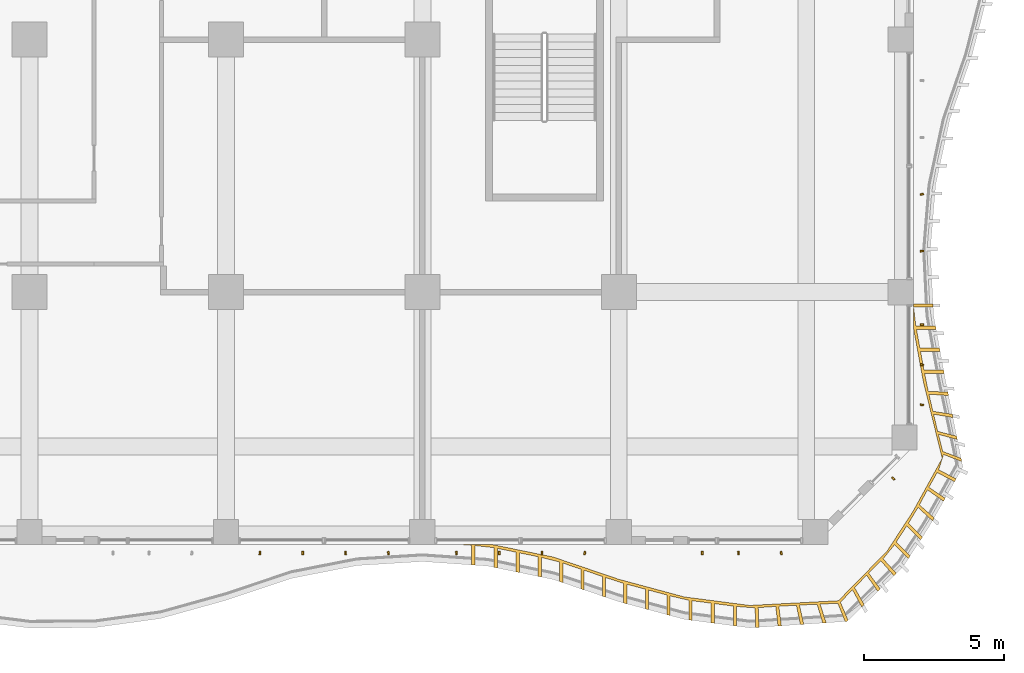
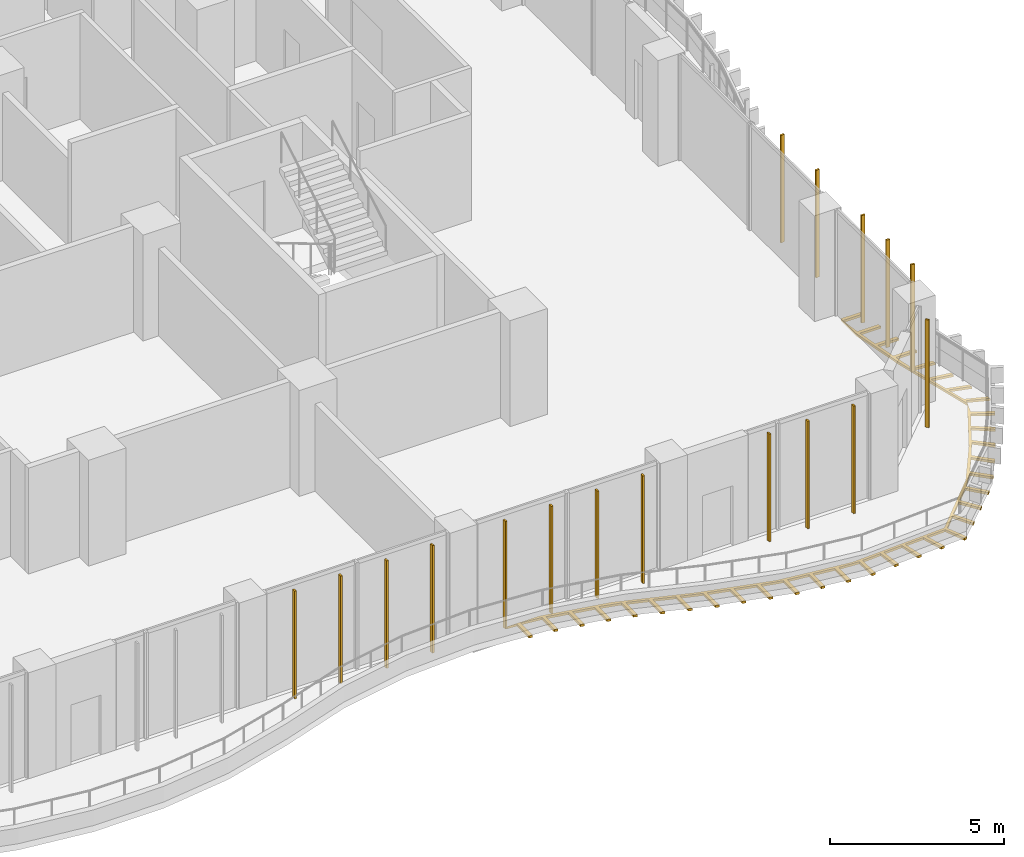
# One storey, part 23 of 28: 18 shading devices.
"""IFC4 building model written with IfcOpenShell, lengths in metres."""

from ifc_helpers import new_model, si_unit, direction, frame, origin, origin_2d, place, context, subcontext, project, spatial, polyline, rectangle, outline, extrude, source, transform, mapped, material, layer, layer_set, material_profile, profile_set, type_object, element, save


model = new_model("IFC4")

# Units and contexts
model_context = context("Model", 3, precision=1e-05, world=origin(), true_north=direction((0.0, 1.0)))
body_context = subcontext(model_context, "Body", "Model", "MODEL_VIEW")
ifc_project = project(units=[si_unit("LENGTHUNIT", "METRE"), si_unit("AREAUNIT", "SQUARE_METRE"), si_unit("VOLUMEUNIT", "CUBIC_METRE"), si_unit("PLANEANGLEUNIT", "RADIAN"), si_unit("MASSUNIT", "GRAM", prefix="KILO")], contexts=[model_context])

# Site, building, storey
site_placement = place(None, origin())
site = spatial("IfcSite", under=ifc_project, at=site_placement, CompositionType="ELEMENT")
building_placement = place(site_placement, origin())
building = spatial("IfcBuilding", under=site, at=building_placement, Name="Kilnfold Tower and Market Hall", CompositionType="ELEMENT")
storey_placement = place(building_placement, frame((0.0, 0.0, 87.199951171875)))
storey = spatial("IfcBuildingStorey", under=building, at=storey_placement, Name="L20", CompositionType="ELEMENT", Elevation=87.199951171875)

# Shading devices
ifc_material_1 = material(Name="Terracotta", Category="masonry")
ifc_material_profile = material_profile(ifc_material_1, rectangle(XDim=0.06005859375, YDim=0.1201171875, at=origin_2d()), Name="BAG 60x120")
ifc_profile_set = profile_set([ifc_material_profile], Name="Terracotta")
shading_device_type_1 = type_object("IfcShadingDeviceType", Name="BAGUETTE", PredefinedType="USERDEFINED", material=ifc_profile_set)
shared_shape_1 = source(origin(), body_context, "Body", "SweptSolid", [
    extrude(rectangle(XDim=0.06005859375, YDim=0.1201171875, at=origin_2d()), origin(), (0.0, 0.0, 1.0), 3.780029296875),
])
for number, where, z_axis, x_axis, name in (
    (1, (9.71240234375, -28.300048828125, 0.0), (0.0, 0.0, 1.0), (0.996198195945, -0.087115752859, 0.0), "Terracotta baguette L20 S"),
    (2, (11.237548828125, -28.300048828125, 0.0), (0.0, 0.0, 1.0), (0.999999092265, 0.001347393775, 0.0), "Terracotta baguette L20 S"),
    (3, (12.762451171875, -28.300048828125, 0.0), (0.0, 0.0, 1.0), (0.996014023413, 0.089196777774, 0.0), "Terracotta baguette L20 S"),
    (4, (14.28759765625, -28.300048828125, 0.0), (0.0, 0.0, 1.0), (0.990623068684, 0.136623335457, 0.0), "Terracotta baguette L20 S"),
    (5, (16.71240234375, -28.300048828125, 0.0), (0.0, 0.0, 1.0), (0.996198195945, 0.087115752859, 0.0), "Terracotta baguette L20 S"),
    (6, (18.237548828125, -28.300048828125, 0.0), (0.0, 0.0, 1.0), (0.999999092265, -0.001347393775, 0.0), "Terracotta baguette L20 S"),
    (7, (19.762451171875, -28.300048828125, 0.0), (0.0, 0.0, 1.0), (0.996014023413, -0.089196777774, 0.0), "Terracotta baguette L20 S"),
    (8, (21.28759765625, -28.300048828125, 0.0), (0.0, 0.0, 1.0), (0.990623068684, -0.136623335457, 0.0), "Terracotta baguette L20 S"),
    (9, (25.47509765625, -28.300048828125, 0.0), (0.0, 0.0, 1.0), (0.999868893572, 0.016192457118, 0.0), "Terracotta baguette L20 S"),
    (10, (26.762451171875, -28.300048828125, 0.0), (0.0, 0.0, 1.0), (0.996014023413, 0.089196777774, 0.0), "Terracotta baguette L20 S"),
    (11, (28.28759765625, -28.300048828125, 0.0), (0.0, 0.0, 1.0), (0.990623068684, 0.136623335457, 0.0), "Terracotta baguette L20 S"),
    (12, (32.28173828125, -25.642578125, 0.0), (0.0, 0.0, 1.0), (0.745516714444, 0.666486930468, 0.0), "Terracotta baguette L20 SE"),
    (13, (33.300048828125, -23.018310546875, 0.0), (0.0, 0.0, 1.0), (0.138526670765, 0.990358703444, 0.0), "Terracotta baguette L20 E"),
    (14, (33.300048828125, -21.5908203125, 0.0), (0.0, 0.0, 1.0), (0.103177939693, 0.994662914138, 0.0), "Terracotta baguette L20 E"),
    (15, (33.300048828125, -20.16357421875, 0.0), (0.0, 0.0, 1.0), (0.026768407559, 0.999641661975, 0.0), "Terracotta baguette L20 E"),
    (16, (33.300048828125, -17.53759765625, 0.0), (0.0, 0.0, 1.0), (-0.116136830053, 0.993233223722, 0.0), "Terracotta baguette L20 E"),
    (17, (33.300048828125, -15.512451171875, 0.0), (0.0, 0.0, 1.0), (-0.131988235812, 0.991251282777, 0.0), "Terracotta baguette L20 E"),
):
    element("IfcShadingDevice", number, at=place(storey_placement, frame(where, z_axis=z_axis, x_axis=x_axis)), inside=storey, type_object=shading_device_type_1, Name=name, ObjectType="BAGUETTE", PredefinedType="USERDEFINED", context=body_context, shape_type="MappedRepresentation", body=[
        mapped(shared_shape_1, transform((0.0, 0.0, 0.0))),
    ])
ifc_material_2 = material(Name="Bronze anodised aluminium", Category="aluminium")
ifc_layer = layer(ifc_material_2, 0.080078125)
ifc_layer_set = layer_set([ifc_layer], Name="Bronze anodised aluminium")
shading_device_type_2 = type_object("IfcShadingDeviceType", Name="BRONZE SLAT SOFFIT 80", PredefinedType="USERDEFINED", material=ifc_layer_set)
shared_shape_2 = source(origin(), body_context, "Body", "SweptSolid", [
    extrude(outline(polyline([(20.166748046875, -28.440185546875), (22.5, -29.232177734375), (24.833251953125, -29.860595703125), (27.166748046875, -30.1640625), (30.326416015625, -29.9951171875), (32.060302734375, -28.226806640625), (32.98095703125, -26.814208984375), (34.022216796875, -24.923583984375), (33.3466796875, -22.166748046875), (33.0, -20.27880859375), (33.0, -19.41455078125), (33.697509765625, -19.41455078125), (33.703369140625, -19.534423828125), (33.00341796875, -19.534423828125), (33.0869140625, -20.207763671875), (33.787109375, -20.207763671875), (33.80859375, -20.32568359375), (33.108642578125, -20.32568359375), (33.2314453125, -20.99462890625), (33.931396484375, -20.99462890625), (33.953125, -21.112548828125), (33.253173828125, -21.112548828125), (33.3759765625, -21.781494140625), (34.075927734375, -21.781494140625), (34.09765625, -21.8994140625), (33.397705078125, -21.8994140625), (33.52783203125, -22.53173828125), (34.22705078125, -22.56689453125), (34.250732421875, -22.684814453125), (33.55224609375, -22.638916015625), (33.6923828125, -23.245849609375), (34.384521484375, -23.351318359375), (34.408203125, -23.468994140625), (33.7177734375, -23.352783203125), (33.8642578125, -23.96044921875), (34.5419921875, -24.1357421875), (34.5654296875, -24.25341796875), (33.890380859375, -24.06787109375), (34.04248046875, -24.677490234375), (34.69921875, -24.920166015625), (34.722900390625, -25.03759765625), (34.06982421875, -24.785400390625), (33.898681640625, -25.335205078125), (34.523193359375, -25.6513671875), (34.464111328125, -25.755859375), (33.845703125, -25.427734375), (33.55078125, -25.954345703125), (34.129638671875, -26.347900390625), (34.07080078125, -26.452392578125), (33.49951171875, -26.047607421875), (33.21240234375, -26.580078125), (33.736083984375, -27.04443359375), (33.67724609375, -27.148681640625), (33.162109375, -26.6748046875), (32.8251953125, -27.232421875), (33.3203125, -27.727294921875), (33.254638671875, -27.827880859375), (32.759765625, -27.332763671875), (32.388427734375, -27.902587890625), (32.88330078125, -28.3974609375), (32.81787109375, -28.498046875), (32.322998046875, -28.0029296875), (31.918701171875, -28.504638671875), (32.390625, -29.021728515625), (32.3046875, -29.10546875), (31.841552734375, -28.58056640625), (31.406982421875, -29.012939453125), (31.817626953125, -29.579833984375), (31.731689453125, -29.66357421875), (31.330810546875, -29.089599609375), (30.9013671875, -29.528076171875), (31.244384765625, -30.13818359375), (31.158447265625, -30.2216796875), (30.82568359375, -29.60595703125), (30.398681640625, -30.051513671875), (30.67138671875, -30.6962890625), (30.632568359375, -30.734130859375), (30.56689453125, -30.738525390625), (30.3037109375, -30.08984375), (29.67529296875, -30.11669921875), (29.888427734375, -30.78369140625), (29.768798828125, -30.79150390625), (29.564697265625, -30.121826171875), (28.938720703125, -30.153076171875), (29.090087890625, -30.83642578125), (28.970458984375, -30.844482421875), (28.828369140625, -30.158935546875), (28.20361328125, -30.195068359375), (28.2919921875, -30.889404296875), (28.17236328125, -30.8974609375), (28.09326171875, -30.201904296875), (27.46826171875, -30.242919921875), (27.49365234375, -30.9423828125), (27.3740234375, -30.9501953125), (27.35791015625, -30.25048828125), (26.698486328125, -30.203125), (26.698486328125, -30.9033203125), (26.579345703125, -30.8876953125), (26.579345703125, -30.187744140625), (25.905029296875, -30.10009765625), (25.905029296875, -30.800048828125), (25.7861328125, -30.784423828125), (25.7861328125, -30.08447265625), (25.11181640625, -29.99658203125), (25.11181640625, -30.69677734375), (24.992919921875, -30.681396484375), (24.992919921875, -29.981201171875), (24.33203125, -29.825439453125), (24.33203125, -30.525390625), (24.216064453125, -30.494384765625), (24.216064453125, -29.794189453125), (23.5595703125, -29.617431640625), (23.5595703125, -30.3173828125), (23.443603515625, -30.2861328125), (23.443603515625, -29.586181640625), (22.787109375, -29.409423828125), (22.787109375, -30.109375), (22.671142578125, -30.078125), (22.671142578125, -29.378173828125), (22.02392578125, -29.17041015625), (22.02392578125, -29.87060546875), (21.910400390625, -29.831787109375), (21.910400390625, -29.1318359375), (21.266357421875, -28.913330078125), (21.266357421875, -29.61328125), (21.15283203125, -29.57470703125), (21.15283203125, -28.874755859375), (20.5087890625, -28.65625), (20.5087890625, -29.356201171875), (20.395263671875, -29.317626953125), (20.395263671875, -28.61767578125), (19.73681640625, -28.4521484375), (19.73681640625, -29.152099609375), (19.619384765625, -29.128173828125), (19.619384765625, -28.427978515625), (18.953125, -28.291748046875), (18.953125, -28.99169921875), (18.835693359375, -28.9677734375), (18.835693359375, -28.267578125), (18.16943359375, -28.13134765625), (18.16943359375, -28.831298828125), (18.0517578125, -28.807373046875), (18.0517578125, -28.107421875), (17.37744140625, -28.031005859375), (17.37744140625, -28.73095703125), (17.2578125, -28.722412109375), (17.2578125, -28.0224609375), (16.934326171875, -28.0), (18.01611328125, -28.0), (20.166748046875, -28.440185546875)])), origin(), (0.0, 0.0, 1.0), 0.080078125),
])
shading_device_placement = place(storey_placement, frame((0.0, 0.0, -0.300048828125)))
element("IfcShadingDevice", 18, at=shading_device_placement, inside=storey, type_object=shading_device_type_2, Name="Balcony soffit slats L20", ObjectType="SLAT", PredefinedType="USERDEFINED", context=body_context, shape_type="MappedRepresentation", body=[
    mapped(shared_shape_2, transform((0.0, 0.0, 0.0))),
])

save(model, "model.ifc")
